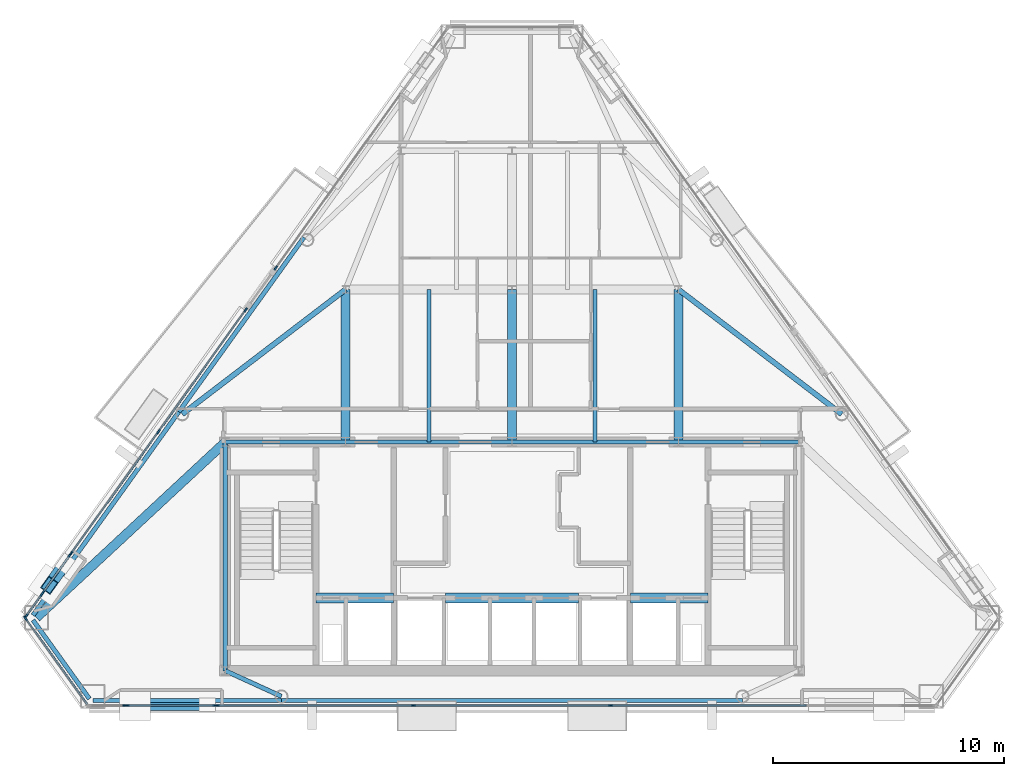
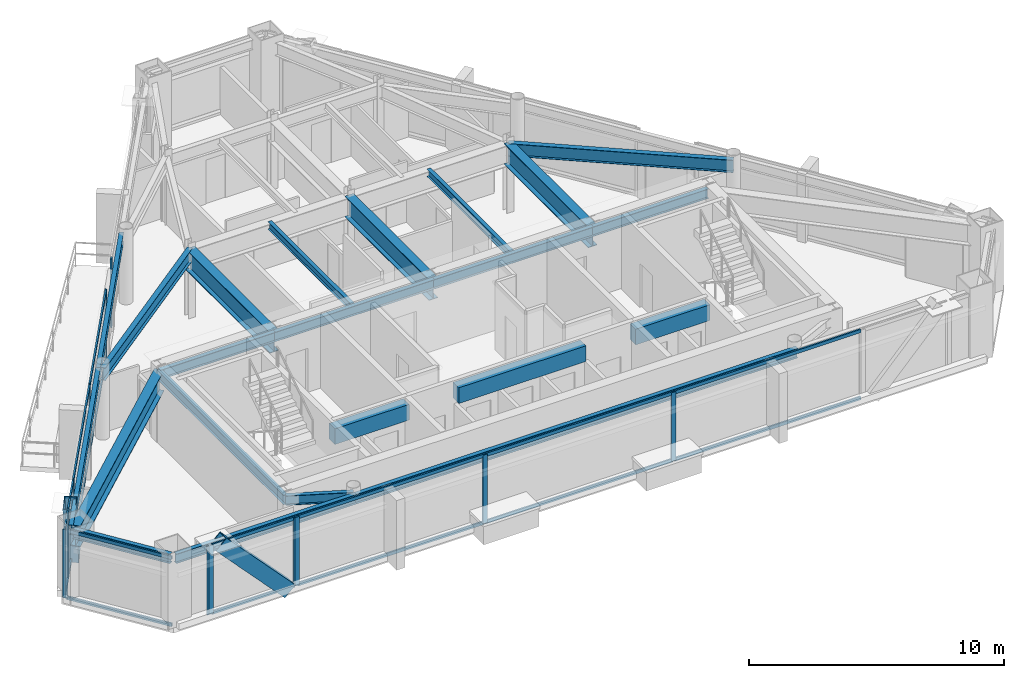
# One storey, part 3 of 11: 35 members, 22 beams, 8 elements without a shape of their own.
"""IFC4 building model written with IfcOpenShell, lengths in metres."""

import ifcopenshell
import ifcopenshell.guid

model = None  # the IFC model being written
_history = None  # IfcOwnerHistory: only IFC2X3 demands one
_inside = {}  # id of a spatial element -> (the spatial element, [elements in it])
_under = {}  # id of a project, library or spatial element -> (it, [spatial elements below it])
_declared = {}  # id of a project -> (the project, [libraries it declares])
_typed = {}  # id of a type object -> (the type object, [elements of that type])
_made_of = {}  # id of a material, layer set ... -> (it, [elements and type objects made of it])


def new_model(schema):
    """Start an empty IFC model of exactly this schema.

    Asked for "IFC4X3", IfcOpenShell would pick the latest addendum, in which some entities
    have other attributes; the version numbers below select the first issue.
    IFC2X3 requires an IfcOwnerHistory on every rooted entity: one is made here for all.
    """
    global model, _history
    if schema == "IFC4X3":
        model = ifcopenshell.file(schema_version=(4, 3, 0, 0))
    else:
        model = ifcopenshell.file(schema=schema)
    _inside.clear()
    _under.clear()
    _declared.clear()
    _typed.clear()
    _made_of.clear()
    _history = None
    if model.schema == "IFC2X3":
        org = make("IfcOrganization", Name="unknown")
        user = make(
            "IfcPersonAndOrganization",
            ThePerson=make("IfcPerson", FamilyName="unknown"),
            TheOrganization=org,
        )
        app = make(
            "IfcApplication",
            ApplicationDeveloper=org,
            Version="unknown",
            ApplicationFullName="unknown",
            ApplicationIdentifier="unknown",
        )
        _history = make(
            "IfcOwnerHistory",
            OwningUser=user,
            OwningApplication=app,
            ChangeAction="ADDED",
            CreationDate=0,
        )
    return model


def make(cls, **values):
    """One entity of the class cls with the attributes given. An attribute that is None is left unset."""
    return model.create_entity(
        cls, **{name: value for name, value in values.items() if value is not None}
    )


def rooted(cls, **values):
    """An entity with a GlobalId (a new one), such as an element, a storey or a relation."""
    return make(cls, GlobalId=ifcopenshell.guid.new(), OwnerHistory=_history, **values)


def si_unit(unit_type, name, prefix=None):
    """IfcSIUnit, for example si_unit("LENGTHUNIT", "METRE", prefix="MILLI")."""
    return make("IfcSIUnit", UnitType=unit_type, Prefix=prefix, Name=name)


def assignment(units):
    """IfcUnitAssignment: the units of a project."""
    return None if units is None else make("IfcUnitAssignment", Units=units)


def point(xyz):
    """IfcCartesianPoint."""
    return None if xyz is None else make("IfcCartesianPoint", Coordinates=xyz)


def direction(xyz):
    """IfcDirection."""
    return None if xyz is None else make("IfcDirection", DirectionRatios=xyz)


def frame(location, z_axis=None, x_axis=None):
    """IfcAxis2Placement3D, a coordinate frame: its origin and axes. An axis left out is left unset."""
    return make(
        "IfcAxis2Placement3D",
        Location=point(location),
        Axis=direction(z_axis),
        RefDirection=direction(x_axis),
    )


def frame_2d(location, x_axis=None):
    """IfcAxis2Placement2D, a coordinate frame in the plane: its origin and x axis."""
    return make(
        "IfcAxis2Placement2D", Location=point(location), RefDirection=direction(x_axis)
    )


def origin():
    """The frame at (0, 0, 0) with its axes left unset."""
    return frame((0.0, 0.0, 0.0))


def origin_2d():
    """The frame at (0, 0) in the plane with its x axis left unset."""
    return frame_2d((0.0, 0.0))


def place(relative_to, where):
    """IfcLocalPlacement: puts the frame where relative to a parent placement (None: the world)."""
    return make(
        "IfcLocalPlacement", PlacementRelTo=relative_to, RelativePlacement=where
    )


def context(
    kind, dimensions, precision=None, world=None, true_north=None, identifier=None
):
    """IfcGeometricRepresentationContext, for example the 3D "Model" context."""
    return make(
        "IfcGeometricRepresentationContext",
        ContextIdentifier=identifier,
        ContextType=kind,
        CoordinateSpaceDimension=dimensions,
        Precision=precision,
        WorldCoordinateSystem=world,
        TrueNorth=true_north,
    )


def subcontext(parent, identifier, kind, view, scale=None):
    """IfcGeometricRepresentationSubContext, for example "Body" below "Model"."""
    return make(
        "IfcGeometricRepresentationSubContext",
        ContextIdentifier=identifier,
        ContextType=kind,
        ParentContext=parent,
        TargetScale=scale,
        TargetView=view,
    )


def project(units=None, contexts=None):
    """IfcProject with its units and contexts."""
    return rooted(
        "IfcProject",
        Name="project",
        RepresentationContexts=contexts,
        UnitsInContext=assignment(units),
    )


def spatial(cls, under=None, at=None, **own):
    """A site, building, storey or space (cls), placed at a placement, below another one or the project."""
    s = rooted(cls, ObjectPlacement=at, **own)
    if under is not None:
        _under.setdefault(under.id(), (under, []))[1].append(s)
    return s


def profile(cls, at=None, kind="AREA", **sizes):
    """A parametric profile (cls). Its sizes go by their IFC names, for example OverallWidth=200.0."""
    return make(cls, ProfileType=kind, Position=at, **sizes)


def rectangle(**sizes):
    """IfcRectangleProfileDef."""
    return profile("IfcRectangleProfileDef", **sizes)


def hollow_rectangle(**sizes):
    """IfcRectangleHollowProfileDef."""
    return profile("IfcRectangleHollowProfileDef", **sizes)


def i_section(**sizes):
    """IfcIShapeProfileDef."""
    return profile("IfcIShapeProfileDef", **sizes)


def extrude(swept, where, along, depth):
    """IfcExtrudedAreaSolid: the profile swept, set in the frame where, extruded along a direction by depth."""
    return make(
        "IfcExtrudedAreaSolid",
        SweptArea=swept,
        Position=where,
        ExtrudedDirection=direction(along),
        Depth=depth,
    )


def shape(context_of_items, identifier, shape_type, items):
    """IfcShapeRepresentation: the items that make up one representation, for example the "Body"."""
    return make(
        "IfcShapeRepresentation",
        ContextOfItems=context_of_items,
        RepresentationIdentifier=identifier,
        RepresentationType=shape_type,
        Items=items,
    )


def material(Name=None, Category=None):
    """IfcMaterial."""
    return make("IfcMaterial", Name=Name, Category=Category)


def layer(
    of_material, thickness, ventilated=None, Name=None, Category=None, Priority=None
):
    """IfcMaterialLayer: one layer of a wall or slab, of a material (None: an air gap)."""
    return make(
        "IfcMaterialLayer",
        Material=of_material,
        LayerThickness=thickness,
        IsVentilated=ventilated,
        Name=Name,
        Category=Category,
        Priority=Priority,
    )


def layer_set(layers, Name=None):
    """IfcMaterialLayerSet."""
    return make("IfcMaterialLayerSet", MaterialLayers=layers, LayerSetName=Name)


def material_profile(
    of_material, cross_section, Name=None, Category=None, Priority=None
):
    """IfcMaterialProfile: a cross section and its material."""
    return make(
        "IfcMaterialProfile",
        Name=Name,
        Material=of_material,
        Profile=cross_section,
        Priority=Priority,
        Category=Category,
    )


def profile_set(profiles, Name=None, composite=None):
    """IfcMaterialProfileSet."""
    return make(
        "IfcMaterialProfileSet",
        Name=Name,
        MaterialProfiles=profiles,
        CompositeProfile=composite,
    )


def made_of(thing, what):
    """Note that an element or type object is made of a material, layer set ...; save() writes the relation."""
    if what is not None:
        _made_of.setdefault(what.id(), (what, []))[1].append(thing)
    return thing


def type_object(cls, material=None, **own):
    """A type object (cls), such as IfcWallType, which elements share."""
    return made_of(rooted(cls, **own), material)


def element(
    cls,
    number,
    at=None,
    inside=None,
    cuts=None,
    type_object=None,
    material=None,
    context=None,
    identifier="Body",
    shape_type=None,
    held_by="IfcProductDefinitionShape",
    body=None,
    shapes=None,
    **own,
):
    """One element of the class cls, such as IfcWall. Its Tag is "e" and its number.

    at: its placement. inside: the storey or other place that contains it. cuts: it is an
    opening in that element (IfcRelVoidsElement). A single representation is given by context,
    identifier, shape_type and body (its items); several are given by shapes. held_by: the class
    of the entity that holds the representations. save() writes the other relations.
    """
    e = rooted(cls, Tag="e%d" % number, ObjectPlacement=at, **own)
    if body is not None:
        shapes = [shape(context, identifier, shape_type, body)]
    if shapes is not None:
        e.Representation = make(held_by, Representations=shapes)
    if inside is not None:
        _inside.setdefault(inside.id(), (inside, []))[1].append(e)
    if cuts is not None:
        rooted(
            "IfcRelVoidsElement", RelatingBuildingElement=cuts, RelatedOpeningElement=e
        )
    if type_object is not None:
        _typed.setdefault(type_object.id(), (type_object, []))[1].append(e)
    return made_of(e, material)


def aggregate(whole, parts):
    """IfcRelAggregates: a whole, such as a stair, and the parts it consists of."""
    return rooted("IfcRelAggregates", RelatingObject=whole, RelatedObjects=parts)


def save(model, path):
    """Write the relations noted so far, then the file.

    IfcRelAggregates (storeys below a building ...), IfcRelContainedInSpatialStructure (elements
    in a storey), IfcRelDefinesByType, IfcRelAssociatesMaterial and IfcRelDeclares: one each for
    every whole, place, type object, material and project.
    """
    for whole, parts in _under.values():
        aggregate(whole, parts)
    for where, things in _inside.values():
        rooted(
            "IfcRelContainedInSpatialStructure",
            RelatedElements=things,
            RelatingStructure=where,
        )
    for kind, things in _typed.values():
        rooted("IfcRelDefinesByType", RelatedObjects=things, RelatingType=kind)
    for what, things in _made_of.values():
        rooted("IfcRelAssociatesMaterial", RelatedObjects=things, RelatingMaterial=what)
    for by, libraries in _declared.values():
        rooted("IfcRelDeclares", RelatingContext=by, RelatedDefinitions=libraries)
    model.write(path)


model = new_model("IFC4")

# Units and contexts
model_context = context("Model", 3, precision=1e-05, world=origin(), true_north=direction((0.0, 1.0)))
body_context = subcontext(model_context, "Body", "Model", "MODEL_VIEW")
ifc_project = project(units=[si_unit("LENGTHUNIT", "METRE"), si_unit("AREAUNIT", "SQUARE_METRE"), si_unit("VOLUMEUNIT", "CUBIC_METRE"), si_unit("PLANEANGLEUNIT", "RADIAN"), si_unit("MASSUNIT", "GRAM", prefix="KILO")], contexts=[model_context])

# Site, building, storey
site_placement = place(None, origin())
site = spatial("IfcSite", under=ifc_project, at=site_placement, CompositionType="ELEMENT")
building_placement = place(site_placement, origin())
building = spatial("IfcBuilding", under=site, at=building_placement, Name="Talgorran Terracotta Tower", CompositionType="ELEMENT")
storey_placement = place(building_placement, frame((0.0, 0.0, 240.60009765625)))
storey = spatial("IfcBuildingStorey", under=building, at=storey_placement, Name="L63", CompositionType="ELEMENT", Elevation=240.60009765625)

# Beams
ifc_material_1 = material(Name="Steel Grade 350 (350L0)", Category="steel")
ifc_material_profile_1 = material_profile(ifc_material_1, i_section(OverallWidth=0.39990234375, OverallDepth=1.0, WebThickness=0.01611328125, FlangeThickness=0.031005859375, at=origin_2d()), Name="1000WB296")
ifc_profile_set_1 = profile_set([ifc_material_profile_1], Name="Steel Grade 350 (350L0)")
beam_type_1 = type_object("IfcBeamType", Name="BM_1000WB296", PredefinedType="BEAM", material=ifc_profile_set_1)
for number, where, z_axis, x_axis, name in (
    (1, (-7.199951171875, -4.199951171875, 2.77978515625), (0.0, 1.0, 0.0), (-1.0, 0.0, 0.0), "L63 Floor Girder G01"),
    (2, (0.0, -4.199951171875, 2.77978515625), (0.0, 1.0, 0.0), (-1.0, 0.0, 0.0), "L63 Floor Girder G02"),
    (3, (7.199951171875, -4.199951171875, 2.77978515625), (0.0, 1.0, 0.0), (-1.0, 0.0, 0.0), "L63 Floor Girder G03"),
):
    element("IfcBeam", number, at=place(storey_placement, frame(where, z_axis=z_axis, x_axis=x_axis)), inside=storey, type_object=beam_type_1, Name=name, PredefinedType="BEAM", context=body_context, shape_type="SweptSolid", body=[
        extrude(i_section(OverallWidth=0.39990234375, OverallDepth=1.0, WebThickness=0.01611328125, FlangeThickness=0.031005859375, at=origin_2d()), origin(), (0.0, 0.0, 1.0), 6.599853515625),
    ])
beam_1_placement = place(storey_placement, frame((-12.39990234375, -4.199951171875, 2.77978515625), z_axis=(-0.732477257619, -0.68079150044, 0.0), x_axis=(0.68079150044, -0.732477257619, 0.0)))
element("IfcBeam", 4, at=beam_1_placement, inside=storey, type_object=beam_type_1, Name="L63 Floor Girder G17", PredefinedType="BEAM", context=body_context, shape_type="SweptSolid", body=[
    extrude(i_section(OverallWidth=0.39990234375, OverallDepth=1.0, WebThickness=0.01611328125, FlangeThickness=0.031005859375, at=origin_2d()), origin(), (0.0, 0.0, 1.0), 11.16650390625),
])
ifc_material_2 = material(Name="Steel S355 (300PLUS)", Category="steel")
ifc_material_profile_2 = material_profile(ifc_material_2, i_section(OverallWidth=0.22802734375, OverallDepth=0.60205078125, WebThickness=0.010498046875, FlangeThickness=0.014892578125, at=origin_2d()), Name="610UB101")
ifc_profile_set_2 = profile_set([ifc_material_profile_2], Name="Steel S355 (300PLUS)")
beam_type_2 = type_object("IfcBeamType", Name="BM_610UB101", PredefinedType="BEAM", material=ifc_profile_set_2)
for number, where, z_axis, x_axis, name in (
    (5, (-7.199951171875, 2.39990234375, 2.97900390625), (-0.794675605049, -0.60703433407, 0.0), (0.60703433407, -0.794675605049, 0.0), "L63 Floor Girder G06"),
    (6, (7.199951171875, 2.39990234375, 2.97900390625), (0.794675605049, -0.60703433407, 0.0), (0.60703433407, 0.794675605049, 0.0), "L63 Floor Girder G07"),
):
    element("IfcBeam", number, at=place(storey_placement, frame(where, z_axis=z_axis, x_axis=x_axis)), inside=storey, type_object=beam_type_2, Name=name, PredefinedType="BEAM", context=body_context, shape_type="SweptSolid", body=[
        extrude(i_section(OverallWidth=0.22802734375, OverallDepth=0.60205078125, WebThickness=0.010498046875, FlangeThickness=0.014892578125, at=origin_2d()), origin(), (0.0, 0.0, 1.0), 8.894287109375),
    ])
ifc_material_3 = material(Name="Concrete C50/60", Category="concrete")
ifc_material_profile_3 = material_profile(ifc_material_3, rectangle(XDim=0.449951171875, YDim=0.75, at=origin_2d()), Name="RCCB450X750")
ifc_profile_set_3 = profile_set([ifc_material_profile_3], Name="Concrete C50/60")
beam_type_3 = type_object("IfcBeamType", Name="BM_CB_450X750", PredefinedType="LINTEL", material=ifc_profile_set_3)
beam_2_placement = place(storey_placement, frame((-8.47998046875, -10.949951171875, 2.90478515625), z_axis=(1.0, 0.0, 0.0), x_axis=(0.0, 1.0, 0.0)))
element("IfcBeam", 7, at=beam_2_placement, inside=storey, type_object=beam_type_3, Name="L63 Core Shear-Wall Coupling Beam CB1", PredefinedType="LINTEL", context=body_context, shape_type="SweptSolid", body=[
    extrude(rectangle(XDim=0.449951171875, YDim=0.75, at=origin_2d()), origin(), (0.0, 0.0, 1.0), 3.35986328125),
])
beam_3_placement = place(storey_placement, frame((-2.8798828125, -10.949951171875, 2.90478515625), z_axis=(1.0, 0.0, 0.0), x_axis=(0.0, 1.0, 0.0)))
element("IfcBeam", 8, at=beam_3_placement, inside=storey, type_object=beam_type_3, Name="L63 Core Shear-Wall Coupling Beam CB2", PredefinedType="LINTEL", context=body_context, shape_type="SweptSolid", body=[
    extrude(rectangle(XDim=0.449951171875, YDim=0.75, at=origin_2d()), origin(), (0.0, 0.0, 1.0), 5.759765625),
])
beam_4_placement = place(storey_placement, frame((5.1201171875, -10.949951171875, 2.90478515625), z_axis=(1.0, 0.0, 0.0), x_axis=(0.0, 1.0, 0.0)))
element("IfcBeam", 9, at=beam_4_placement, inside=storey, type_object=beam_type_3, Name="L63 Core Shear-Wall Coupling Beam CB3", PredefinedType="LINTEL", context=body_context, shape_type="SweptSolid", body=[
    extrude(rectangle(XDim=0.449951171875, YDim=0.75, at=origin_2d()), origin(), (0.0, 0.0, 1.0), 3.35986328125),
])
ifc_material_profile_4 = material_profile(ifc_material_2, i_section(OverallWidth=0.17138671875, OverallDepth=0.355712890625, WebThickness=0.00732421875, FlangeThickness=0.011474609375, at=origin_2d()), Name="360UB50.7")
ifc_profile_set_4 = profile_set([ifc_material_profile_4], Name="Steel S355 (300PLUS)")
beam_type_4 = type_object("IfcBeamType", Name="BM_JS_360UB51", PredefinedType="JOIST", material=ifc_profile_set_4)
for number, where, z_axis, x_axis, name in (
    (10, (-3.60009765625, -4.199951171875, 3.10205078125), (0.0, 1.0, 0.0), (-1.0, 0.0, 0.0), "L63 Secondary Joist J01"),
    (11, (3.60009765625, -4.199951171875, 3.10205078125), (0.0, 1.0, 0.0), (-1.0, 0.0, 0.0), "L63 Secondary Joist J02"),
):
    element("IfcBeam", number, at=place(storey_placement, frame(where, z_axis=z_axis, x_axis=x_axis)), inside=storey, type_object=beam_type_4, Name=name, PredefinedType="JOIST", context=body_context, shape_type="SweptSolid", body=[
        extrude(i_section(OverallWidth=0.17138671875, OverallDepth=0.355712890625, WebThickness=0.00732421875, FlangeThickness=0.011474609375, at=origin_2d()), origin(), (0.0, 0.0, 1.0), 6.599853515625),
    ])
ifc_material_profile_5 = material_profile(ifc_material_2, i_section(OverallWidth=0.18994140625, OverallDepth=0.45703125, WebThickness=0.009033203125, FlangeThickness=0.014404296875, at=origin_2d()), Name="460UB74.6")
ifc_profile_set_5 = profile_set([ifc_material_profile_5], Name="Steel S355 (300PLUS)")
beam_type_5 = type_object("IfcBeamType", Name="BM_SP_460UB74", PredefinedType="SPANDREL", material=ifc_profile_set_5)
beam_5_placement = place(storey_placement, frame((-20.725341796875, -11.906982421875, 3.051513671875), z_axis=(0.582692129248, -0.812692981705, 0.0), x_axis=(0.812692981705, 0.582692129248, 0.0)))
element("IfcBeam", 12, at=beam_5_placement, inside=storey, type_object=beam_type_5, Name="L63 Perimeter Spandrel Beam MC1-MC2", PredefinedType="SPANDREL", context=body_context, shape_type="SweptSolid", body=[
    extrude(i_section(OverallWidth=0.18994140625, OverallDepth=0.45703125, WebThickness=0.009033203125, FlangeThickness=0.014404296875, at=origin_2d()), origin(), (0.0, 0.0, 1.0), 4.190673828125),
])
beam_6_placement = place(storey_placement, frame((-18.13720703125, -15.3876953125, 3.051513671875), z_axis=(1.0, 0.0, 0.0), x_axis=(0.0, 1.0, 0.0)))
element("IfcBeam", 13, at=beam_6_placement, inside=storey, type_object=beam_type_5, Name="L63 Perimeter Spandrel Beam MC2-FC1", PredefinedType="SPANDREL", context=body_context, shape_type="SweptSolid", body=[
    extrude(i_section(OverallWidth=0.18994140625, OverallDepth=0.45703125, WebThickness=0.009033203125, FlangeThickness=0.014404296875, at=origin_2d()), origin(), (0.0, 0.0, 1.0), 8.16162109375),
])
beam_7_placement = place(storey_placement, frame((-9.9755859375, -15.3876953125, 3.051513671875), z_axis=(1.0, 0.0, 0.0), x_axis=(0.0, 1.0, 0.0)))
element("IfcBeam", 14, at=beam_7_placement, inside=storey, type_object=beam_type_5, Name="L63 Perimeter Spandrel Beam FC1-FC2", PredefinedType="SPANDREL", context=body_context, shape_type="SweptSolid", body=[
    extrude(i_section(OverallWidth=0.18994140625, OverallDepth=0.45703125, WebThickness=0.009033203125, FlangeThickness=0.014404296875, at=origin_2d()), origin(), (0.0, 0.0, 1.0), 19.951171875),
])
beam_8_placement = place(storey_placement, frame((-9.0048828125, 4.65087890625, 3.051513671875), z_axis=(-0.582665161137, -0.812712316873, 0.0), x_axis=(0.812712316873, -0.582665161137, 0.0)))
element("IfcBeam", 15, at=beam_8_placement, inside=storey, type_object=beam_type_5, Name="L63 Perimeter Spandrel Beam FC5-FC6", PredefinedType="SPANDREL", context=body_context, shape_type="SweptSolid", body=[
    extrude(i_section(OverallWidth=0.18994140625, OverallDepth=0.45703125, WebThickness=0.009033203125, FlangeThickness=0.014404296875, at=origin_2d()), origin(), (0.0, 0.0, 1.0), 9.283935546875),
])
beam_9_placement = place(storey_placement, frame((-14.414306640625, -2.894287109375, 3.051513671875), z_axis=(-0.5826658635, -0.812711813321, 0.0), x_axis=(0.812711813321, -0.5826658635, 0.0)))
element("IfcBeam", 16, at=beam_9_placement, inside=storey, type_object=beam_type_5, Name="L63 Perimeter Spandrel Beam FC6-MC1", PredefinedType="SPANDREL", context=body_context, shape_type="SweptSolid", body=[
    extrude(i_section(OverallWidth=0.18994140625, OverallDepth=0.45703125, WebThickness=0.009033203125, FlangeThickness=0.014404296875, at=origin_2d()), origin(), (0.0, 0.0, 1.0), 10.831298828125),
])
beam_10_placement = place(storey_placement, frame((-9.9755859375, -15.207763671875, 3.051513671875), z_axis=(-0.909558570389, 0.415575753661, 0.0), x_axis=(-0.415575753661, -0.909558570389, 0.0)))
element("IfcBeam", 17, at=beam_10_placement, inside=storey, type_object=beam_type_5, Name="L63 South-West Core Tie Beam", PredefinedType="SPANDREL", context=body_context, shape_type="SweptSolid", body=[
    extrude(i_section(OverallWidth=0.18994140625, OverallDepth=0.45703125, WebThickness=0.009033203125, FlangeThickness=0.014404296875, at=origin_2d()), origin(), (0.0, 0.0, 1.0), 2.665283203125),
])
beam_11_placement = place(storey_placement, frame((-12.39990234375, -14.10009765625, 3.051513671875), z_axis=(0.0, 1.0, 0.0), x_axis=(-1.0, 0.0, 0.0)))
element("IfcBeam", 18, at=beam_11_placement, inside=storey, type_object=beam_type_5, Name="L63 Core Frame Beam CFW", PredefinedType="SPANDREL", context=body_context, shape_type="SweptSolid", body=[
    extrude(i_section(OverallWidth=0.18994140625, OverallDepth=0.45703125, WebThickness=0.009033203125, FlangeThickness=0.014404296875, at=origin_2d()), origin(), (0.0, 0.0, 1.0), 9.900146484375),
])
beam_12_placement = place(storey_placement, frame((-12.39990234375, -4.199951171875, 3.051513671875), z_axis=(1.0, 0.0, 0.0), x_axis=(0.0, 1.0, 0.0)))
element("IfcBeam", 19, at=beam_12_placement, inside=storey, type_object=beam_type_5, Name="L63 Core Frame Beam CFN1", PredefinedType="SPANDREL", context=body_context, shape_type="SweptSolid", body=[
    extrude(i_section(OverallWidth=0.18994140625, OverallDepth=0.45703125, WebThickness=0.009033203125, FlangeThickness=0.014404296875, at=origin_2d()), origin(), (0.0, 0.0, 1.0), 5.199951171875),
])
for number, where, z_axis, x_axis, name in (
    (20, (-7.199951171875, -4.199951171875, 3.051513671875), (1.0, 0.0, 0.0), (0.0, 1.0, 0.0), "L63 Core Frame Beam CFN2"),
    (21, (0.0, -4.199951171875, 3.051513671875), (1.0, 0.0, 0.0), (0.0, 1.0, 0.0), "L63 Core Frame Beam CFN3"),
):
    element("IfcBeam", number, at=place(storey_placement, frame(where, z_axis=z_axis, x_axis=x_axis)), inside=storey, type_object=beam_type_5, Name=name, PredefinedType="SPANDREL", context=body_context, shape_type="SweptSolid", body=[
        extrude(i_section(OverallWidth=0.18994140625, OverallDepth=0.45703125, WebThickness=0.009033203125, FlangeThickness=0.014404296875, at=origin_2d()), origin(), (0.0, 0.0, 1.0), 7.199951171875),
    ])
beam_13_placement = place(storey_placement, frame((7.199951171875, -4.199951171875, 3.051513671875), z_axis=(1.0, 0.0, 0.0), x_axis=(0.0, 1.0, 0.0)))
element("IfcBeam", 22, at=beam_13_placement, inside=storey, type_object=beam_type_5, Name="L63 Core Frame Beam CFN4", PredefinedType="SPANDREL", context=body_context, shape_type="SweptSolid", body=[
    extrude(i_section(OverallWidth=0.18994140625, OverallDepth=0.45703125, WebThickness=0.009033203125, FlangeThickness=0.014404296875, at=origin_2d()), origin(), (0.0, 0.0, 1.0), 5.199951171875),
])

# Members
ifc_material_profile_6 = material_profile(ifc_material_1, hollow_rectangle(XDim=0.52001953125, YDim=0.659912109375, WallThickness=0.034912109375, at=origin_2d()), Name="WBOX660X520X35")
ifc_profile_set_6 = profile_set([ifc_material_profile_6], Name="Steel Grade 350 (350L0)")
member_type_1 = type_object("IfcMemberType", Name="MB_MEGA_660", PredefinedType="BRACE", material=ifc_profile_set_6)
member_1_placement = place(storey_placement, frame((-13.19189453125, -15.56787109375, -0.025146484375), z_axis=(-0.683100018247, 0.0, 0.73032483531), x_axis=(0.0, -1.0, 0.0)))
element("IfcMember", 23, at=member_1_placement, inside=storey, type_object=member_type_1, Name="L63 Exterior Face Mega-Brace MB-3 (SWF)", PredefinedType="BRACE", context=body_context, shape_type="SweptSolid", body=[
    extrude(hollow_rectangle(XDim=0.52001953125, YDim=0.659912109375, WallThickness=0.034912109375, at=origin_2d()), origin(), (0.0, 0.0, 1.0), 4.559814453125),
])
member_2_placement = place(storey_placement, frame((-19.33935546875, -9.455078125, -0.025146484375), z_axis=(-0.191890418746, -0.267622063086, 0.944222695418), x_axis=(0.812681078827, -0.582708730085, 0.0)))
element("IfcMember", 24, at=member_2_placement, inside=storey, type_object=member_type_1, Name="L63 Exterior Face Mega-Brace MB-3 (NWL)", PredefinedType="BRACE", context=body_context, shape_type="SweptSolid", body=[
    extrude(hollow_rectangle(XDim=0.52001953125, YDim=0.659912109375, WallThickness=0.034912109375, at=origin_2d()), origin(), (0.0, 0.0, 1.0), 3.52685546875),
])

# Curtain wall, member
ifc_material_4 = material(Name="High-Wind Unitised Glazing", Category="glass")
ifc_layer = layer(ifc_material_4, 0.2099609375, Name="CW_SYS3_RES_HIGH")
ifc_layer_set = layer_set([ifc_layer], Name="High-Wind Unitised Glazing")
curtain_wall_type = type_object("IfcCurtainWallType", Name="CW_SYS3_RES_HIGH", PredefinedType="NOTDEFINED", material=ifc_layer_set)
curtain_wall_1_placement = place(storey_placement, origin())
curtain_wall_1 = element("IfcCurtainWall", 25, at=curtain_wall_1_placement, inside=storey, type_object=curtain_wall_type, Name="CW-L63-F0", PredefinedType="NOTDEFINED")
ifc_material_5 = material(Name="Architectural Aluminium 6063-T6", Category="aluminium")
ifc_material_profile_7 = material_profile(ifc_material_5, rectangle(XDim=0.070068359375, YDim=0.199951171875, at=origin_2d()), Name="CWM70X200")
ifc_profile_set_7 = profile_set([ifc_material_profile_7], Name="Architectural Aluminium 6063-T6")
member_type_2 = type_object("IfcMemberType", Name="MUL_70X200", PredefinedType="MULLION", material=ifc_profile_set_7)
member_3_placement = place(storey_placement, frame((-21.05078125, -11.83056640625, 0.0), z_axis=(0.0, 0.0, 1.0), x_axis=(0.812714993724, 0.582661427396, 0.0)))
member_3 = element("IfcMember", 26, at=member_3_placement, type_object=member_type_2, Name="CW-L63-0 mullion 1", PredefinedType="MULLION", context=body_context, shape_type="SweptSolid", body=[
    extrude(rectangle(XDim=0.070068359375, YDim=0.199951171875, at=origin_2d()), origin(), (0.0, 0.0, 1.0), 3.27978515625),
])

curtain_wall_2_placement = place(storey_placement, origin())
curtain_wall_2 = element("IfcCurtainWall", 27, at=curtain_wall_2_placement, inside=storey, type_object=curtain_wall_type, Name="CW-L63-F1", PredefinedType="NOTDEFINED")
member_4_placement = place(storey_placement, frame((-16.737548828125, -15.60791015625, 0.0), z_axis=(0.0, 0.0, 1.0), x_axis=(0.0, 1.0, 0.0)))
member_4 = element("IfcMember", 28, at=member_4_placement, type_object=member_type_2, Name="CW-L63-1 mullion 2", PredefinedType="MULLION", context=body_context, shape_type="SweptSolid", body=[
    extrude(rectangle(XDim=0.070068359375, YDim=0.199951171875, at=origin_2d()), origin(), (0.0, 0.0, 1.0), 3.27978515625),
])
aggregate(curtain_wall_2, [member_4])

# Curtain wall, members
curtain_wall_3_placement = place(storey_placement, origin())
curtain_wall_3 = element("IfcCurtainWall", 29, at=curtain_wall_3_placement, inside=storey, type_object=curtain_wall_type, Name="CW-L63-F1B", PredefinedType="NOTDEFINED")
member_5_placement = place(storey_placement, frame((-16.65771484375, -15.60791015625, 0.0), z_axis=(0.0, 0.0, 1.0), x_axis=(0.0, 1.0, 0.0)))
member_5 = element("IfcMember", 30, at=member_5_placement, type_object=member_type_2, Name="CW-L63-1B mullion 1", PredefinedType="MULLION", context=body_context, shape_type="SweptSolid", body=[
    extrude(rectangle(XDim=0.070068359375, YDim=0.199951171875, at=origin_2d()), origin(), (0.0, 0.0, 1.0), 3.27978515625),
])
member_6_placement = place(storey_placement, frame((-12.8408203125, -15.60791015625, 0.0), z_axis=(0.0, 0.0, 1.0), x_axis=(0.0, 1.0, 0.0)))
member_6 = element("IfcMember", 31, at=member_6_placement, type_object=member_type_2, Name="CW-L63-1B mullion 2", PredefinedType="MULLION", context=body_context, shape_type="SweptSolid", body=[
    extrude(rectangle(XDim=0.070068359375, YDim=0.199951171875, at=origin_2d()), origin(), (0.0, 0.0, 1.0), 3.27978515625),
])

curtain_wall_4_placement = place(storey_placement, origin())
curtain_wall_4 = element("IfcCurtainWall", 32, at=curtain_wall_4_placement, inside=storey, type_object=curtain_wall_type, Name="CW-L63-F1C", PredefinedType="NOTDEFINED")
member_7_placement = place(storey_placement, frame((-12.7607421875, -15.60791015625, 0.0), z_axis=(0.0, 0.0, 1.0), x_axis=(0.0, 1.0, 0.0)))
member_7 = element("IfcMember", 33, at=member_7_placement, type_object=member_type_2, Name="CW-L63-1C mullion 1", PredefinedType="MULLION", context=body_context, shape_type="SweptSolid", body=[
    extrude(rectangle(XDim=0.070068359375, YDim=0.199951171875, at=origin_2d()), origin(), (0.0, 0.0, 1.0), 3.27978515625),
])
member_8_placement = place(storey_placement, frame((-4.265380859375, -15.60791015625, 0.0), z_axis=(0.0, 0.0, 1.0), x_axis=(0.0, 1.0, 0.0)))
member_8 = element("IfcMember", 34, at=member_8_placement, type_object=member_type_2, Name="CW-L63-1C mullion 2", PredefinedType="MULLION", context=body_context, shape_type="SweptSolid", body=[
    extrude(rectangle(XDim=0.070068359375, YDim=0.199951171875, at=origin_2d()), origin(), (0.0, 0.0, 1.0), 3.27978515625),
])
member_9_placement = place(storey_placement, frame((4.265380859375, -15.60791015625, 0.0), z_axis=(0.0, 0.0, 1.0), x_axis=(0.0, 1.0, 0.0)))
member_9 = element("IfcMember", 35, at=member_9_placement, type_object=member_type_2, Name="CW-L63-1C mullion 3", PredefinedType="MULLION", context=body_context, shape_type="SweptSolid", body=[
    extrude(rectangle(XDim=0.070068359375, YDim=0.199951171875, at=origin_2d()), origin(), (0.0, 0.0, 1.0), 3.27978515625),
])

# Curtain wall, member
curtain_wall_5_placement = place(storey_placement, origin())
curtain_wall_5 = element("IfcCurtainWall", 36, at=curtain_wall_5_placement, inside=storey, type_object=curtain_wall_type, Name="CW-L63-F60C", PredefinedType="NOTDEFINED")
member_10_placement = place(storey_placement, frame((-10.22265625, 3.32958984375, 0.0), z_axis=(0.0, 0.0, 1.0), x_axis=(0.81271372901, -0.582663191457, 0.0)))
member_10 = element("IfcMember", 37, at=member_10_placement, type_object=member_type_2, Name="CW-L63-60C mullion 2", PredefinedType="MULLION", context=body_context, shape_type="SweptSolid", body=[
    extrude(rectangle(XDim=0.070068359375, YDim=0.199951171875, at=origin_2d()), origin(), (0.0, 0.0, 1.0), 3.27978515625),
])
aggregate(curtain_wall_5, [member_10])

# Curtain wall, members
curtain_wall_6_placement = place(storey_placement, origin())
curtain_wall_6 = element("IfcCurtainWall", 38, at=curtain_wall_6_placement, inside=storey, type_object=curtain_wall_type, Name="CW-L63-F61", PredefinedType="NOTDEFINED")
member_11_placement = place(storey_placement, frame((-11.52197265625, 1.517333984375, 0.0), z_axis=(0.0, 0.0, 1.0), x_axis=(0.812710972577, -0.582667036182, 0.0)))
member_11 = element("IfcMember", 39, at=member_11_placement, type_object=member_type_2, Name="CW-L63-61 mullion 1", PredefinedType="MULLION", context=body_context, shape_type="SweptSolid", body=[
    extrude(rectangle(XDim=0.070068359375, YDim=0.199951171875, at=origin_2d()), origin(), (0.0, 0.0, 1.0), 3.27978515625),
])
member_12_placement = place(storey_placement, frame((-15.30078125, -3.75341796875, 0.0), z_axis=(0.0, 0.0, 1.0), x_axis=(0.812710972577, -0.582667036182, 0.0)))
member_12 = element("IfcMember", 40, at=member_12_placement, type_object=member_type_2, Name="CW-L63-61 mullion 2", PredefinedType="MULLION", context=body_context, shape_type="SweptSolid", body=[
    extrude(rectangle(XDim=0.070068359375, YDim=0.199951171875, at=origin_2d()), origin(), (0.0, 0.0, 1.0), 3.27978515625),
])
member_13_placement = place(storey_placement, frame((-19.07958984375, -9.024169921875, 0.0), z_axis=(0.0, 0.0, 1.0), x_axis=(0.812710972577, -0.582667036182, 0.0)))
member_13 = element("IfcMember", 41, at=member_13_placement, type_object=member_type_2, Name="CW-L63-61 mullion 3", PredefinedType="MULLION", context=body_context, shape_type="SweptSolid", body=[
    extrude(rectangle(XDim=0.070068359375, YDim=0.199951171875, at=origin_2d()), origin(), (0.0, 0.0, 1.0), 3.27978515625),
])

curtain_wall_7_placement = place(storey_placement, origin())
curtain_wall_7 = element("IfcCurtainWall", 42, at=curtain_wall_7_placement, inside=storey, type_object=curtain_wall_type, Name="CW-L63-F61B", PredefinedType="NOTDEFINED")
member_14_placement = place(storey_placement, frame((-19.1259765625, -9.089111328125, 0.0), z_axis=(0.0, 0.0, 1.0), x_axis=(0.812719360435, -0.582655336519, 0.0)))
member_14 = element("IfcMember", 43, at=member_14_placement, type_object=member_type_2, Name="CW-L63-61B mullion 1", PredefinedType="MULLION", context=body_context, shape_type="SweptSolid", body=[
    extrude(rectangle(XDim=0.070068359375, YDim=0.199951171875, at=origin_2d()), origin(), (0.0, 0.0, 1.0), 3.27978515625),
])
member_15_placement = place(storey_placement, frame((-20.294189453125, -10.71826171875, 0.0), z_axis=(0.0, 0.0, 1.0), x_axis=(0.812719360435, -0.582655336519, 0.0)))
member_15 = element("IfcMember", 44, at=member_15_placement, type_object=member_type_2, Name="CW-L63-61B mullion 2", PredefinedType="MULLION", context=body_context, shape_type="SweptSolid", body=[
    extrude(rectangle(XDim=0.070068359375, YDim=0.199951171875, at=origin_2d()), origin(), (0.0, 0.0, 1.0), 3.27978515625),
])

curtain_wall_8_placement = place(storey_placement, origin())
curtain_wall_8 = element("IfcCurtainWall", 45, at=curtain_wall_8_placement, inside=storey, type_object=curtain_wall_type, Name="CW-L63-F61C", PredefinedType="NOTDEFINED")
member_16_placement = place(storey_placement, frame((-20.340576171875, -10.783203125, 0.0), z_axis=(0.0, 0.0, 1.0), x_axis=(0.812703976613, -0.582676794113, 0.0)))
member_16 = element("IfcMember", 46, at=member_16_placement, type_object=member_type_2, Name="CW-L63-61C mullion 1", PredefinedType="MULLION", context=body_context, shape_type="SweptSolid", body=[
    extrude(rectangle(XDim=0.070068359375, YDim=0.199951171875, at=origin_2d()), origin(), (0.0, 0.0, 1.0), 3.27978515625),
])
member_17_placement = place(storey_placement, frame((-21.02734375, -11.740966796875, 0.0), z_axis=(0.0, 0.0, 1.0), x_axis=(0.812703976613, -0.582676794113, 0.0)))
member_17 = element("IfcMember", 47, at=member_17_placement, type_object=member_type_2, Name="CW-L63-61C mullion 2", PredefinedType="MULLION", context=body_context, shape_type="SweptSolid", body=[
    extrude(rectangle(XDim=0.070068359375, YDim=0.199951171875, at=origin_2d()), origin(), (0.0, 0.0, 1.0), 3.27978515625),
])

# Member
ifc_material_profile_8 = material_profile(ifc_material_5, rectangle(XDim=0.070068359375, YDim=0.159912109375, at=origin_2d()), Name="CWT70X160")
ifc_profile_set_8 = profile_set([ifc_material_profile_8], Name="Architectural Aluminium 6063-T6")
member_type_3 = type_object("IfcMemberType", Name="TRN_70X160", PredefinedType="USERDEFINED", material=ifc_profile_set_8)
member_18_placement = place(storey_placement, frame((-21.0302734375, -11.85888671875, 0.034912109375), z_axis=(0.582655627037, -0.812719152157, 0.0), x_axis=(0.812719152157, 0.582655627037, 0.0)))
member_18 = element("IfcMember", 48, at=member_18_placement, type_object=member_type_3, Name="CW-L63-0 transom 1.1", ObjectType="TRANSOM", PredefinedType="USERDEFINED", context=body_context, shape_type="SweptSolid", body=[
    extrude(rectangle(XDim=0.070068359375, YDim=0.159912109375, at=origin_2d()), origin(), (0.0, 0.0, 1.0), 4.54296875),
])

member_19_placement = place(storey_placement, frame((-21.0302734375, -11.85888671875, 3.244873046875), z_axis=(0.582655627037, -0.812719152157, 0.0), x_axis=(0.812719152157, 0.582655627037, 0.0)))
member_19 = element("IfcMember", 49, at=member_19_placement, type_object=member_type_3, Name="CW-L63-0 transom 1.2", ObjectType="TRANSOM", PredefinedType="USERDEFINED", context=body_context, shape_type="SweptSolid", body=[
    extrude(rectangle(XDim=0.070068359375, YDim=0.159912109375, at=origin_2d()), origin(), (0.0, 0.0, 1.0), 4.54296875),
])

aggregate(curtain_wall_1, [member_3, member_18, member_19])

member_20_placement = place(storey_placement, frame((-16.62255859375, -15.60791015625, 0.034912109375), z_axis=(1.0, 0.0, 0.0), x_axis=(0.0, 1.0, 0.0)))
member_20 = element("IfcMember", 50, at=member_20_placement, type_object=member_type_3, Name="CW-L63-1B transom 1.1", ObjectType="TRANSOM", PredefinedType="USERDEFINED", context=body_context, shape_type="SweptSolid", body=[
    extrude(rectangle(XDim=0.070068359375, YDim=0.159912109375, at=origin_2d()), origin(), (0.0, 0.0, 1.0), 3.746826171875),
])

member_21_placement = place(storey_placement, frame((-16.62255859375, -15.60791015625, 3.244873046875), z_axis=(1.0, 0.0, 0.0), x_axis=(0.0, 1.0, 0.0)))
member_21 = element("IfcMember", 51, at=member_21_placement, type_object=member_type_3, Name="CW-L63-1B transom 1.2", ObjectType="TRANSOM", PredefinedType="USERDEFINED", context=body_context, shape_type="SweptSolid", body=[
    extrude(rectangle(XDim=0.070068359375, YDim=0.159912109375, at=origin_2d()), origin(), (0.0, 0.0, 1.0), 3.746826171875),
])

aggregate(curtain_wall_3, [member_5, member_6, member_20, member_21])

member_22_placement = place(storey_placement, frame((-12.725830078125, -15.60791015625, 0.034912109375), z_axis=(1.0, 0.0, 0.0), x_axis=(0.0, 1.0, 0.0)))
member_22 = element("IfcMember", 52, at=member_22_placement, type_object=member_type_3, Name="CW-L63-1C transom 1.1", ObjectType="TRANSOM", PredefinedType="USERDEFINED", context=body_context, shape_type="SweptSolid", body=[
    extrude(rectangle(XDim=0.070068359375, YDim=0.159912109375, at=origin_2d()), origin(), (0.0, 0.0, 1.0), 8.425537109375),
])

member_23_placement = place(storey_placement, frame((-12.725830078125, -15.60791015625, 3.244873046875), z_axis=(1.0, 0.0, 0.0), x_axis=(0.0, 1.0, 0.0)))
member_23 = element("IfcMember", 53, at=member_23_placement, type_object=member_type_3, Name="CW-L63-1C transom 1.2", ObjectType="TRANSOM", PredefinedType="USERDEFINED", context=body_context, shape_type="SweptSolid", body=[
    extrude(rectangle(XDim=0.070068359375, YDim=0.159912109375, at=origin_2d()), origin(), (0.0, 0.0, 1.0), 8.425537109375),
])

member_24_placement = place(storey_placement, frame((-4.230224609375, -15.60791015625, 0.034912109375), z_axis=(1.0, 0.0, 0.0), x_axis=(0.0, 1.0, 0.0)))
member_24 = element("IfcMember", 54, at=member_24_placement, type_object=member_type_3, Name="CW-L63-1C transom 2.1", ObjectType="TRANSOM", PredefinedType="USERDEFINED", context=body_context, shape_type="SweptSolid", body=[
    extrude(rectangle(XDim=0.070068359375, YDim=0.159912109375, at=origin_2d()), origin(), (0.0, 0.0, 1.0), 8.46044921875),
])

member_25_placement = place(storey_placement, frame((-4.230224609375, -15.60791015625, 3.244873046875), z_axis=(1.0, 0.0, 0.0), x_axis=(0.0, 1.0, 0.0)))
member_25 = element("IfcMember", 55, at=member_25_placement, type_object=member_type_3, Name="CW-L63-1C transom 2.2", ObjectType="TRANSOM", PredefinedType="USERDEFINED", context=body_context, shape_type="SweptSolid", body=[
    extrude(rectangle(XDim=0.070068359375, YDim=0.159912109375, at=origin_2d()), origin(), (0.0, 0.0, 1.0), 8.46044921875),
])

member_26_placement = place(storey_placement, frame((4.30029296875, -15.60791015625, 0.034912109375), z_axis=(1.0, 0.0, 0.0), x_axis=(0.0, 1.0, 0.0)))
member_26 = element("IfcMember", 56, at=member_26_placement, type_object=member_type_3, Name="CW-L63-1C transom 3.1", ObjectType="TRANSOM", PredefinedType="USERDEFINED", context=body_context, shape_type="SweptSolid", body=[
    extrude(rectangle(XDim=0.070068359375, YDim=0.159912109375, at=origin_2d()), origin(), (0.0, 0.0, 1.0), 8.425537109375),
])

member_27_placement = place(storey_placement, frame((4.30029296875, -15.60791015625, 3.244873046875), z_axis=(1.0, 0.0, 0.0), x_axis=(0.0, 1.0, 0.0)))
member_27 = element("IfcMember", 57, at=member_27_placement, type_object=member_type_3, Name="CW-L63-1C transom 3.2", ObjectType="TRANSOM", PredefinedType="USERDEFINED", context=body_context, shape_type="SweptSolid", body=[
    extrude(rectangle(XDim=0.070068359375, YDim=0.159912109375, at=origin_2d()), origin(), (0.0, 0.0, 1.0), 8.425537109375),
])

aggregate(curtain_wall_4, [member_7, member_8, member_9, member_22, member_23, member_24, member_25, member_26, member_27])

member_28_placement = place(storey_placement, frame((-11.54248046875, 1.48876953125, 0.034912109375), z_axis=(-0.582659317109, -0.812716506653, 0.0), x_axis=(0.812716506653, -0.582659317109, 0.0)))
member_28 = element("IfcMember", 58, at=member_28_placement, type_object=member_type_3, Name="CW-L63-61 transom 1.1", ObjectType="TRANSOM", PredefinedType="USERDEFINED", context=body_context, shape_type="SweptSolid", body=[
    extrude(rectangle(XDim=0.070068359375, YDim=0.159912109375, at=origin_2d()), origin(), (0.0, 0.0, 1.0), 6.4150390625),
])

member_29_placement = place(storey_placement, frame((-11.54248046875, 1.48876953125, 3.244873046875), z_axis=(-0.582659317109, -0.812716506653, 0.0), x_axis=(0.812716506653, -0.582659317109, 0.0)))
member_29 = element("IfcMember", 59, at=member_29_placement, type_object=member_type_3, Name="CW-L63-61 transom 1.2", ObjectType="TRANSOM", PredefinedType="USERDEFINED", context=body_context, shape_type="SweptSolid", body=[
    extrude(rectangle(XDim=0.070068359375, YDim=0.159912109375, at=origin_2d()), origin(), (0.0, 0.0, 1.0), 6.4150390625),
])

member_30_placement = place(storey_placement, frame((-15.321044921875, -3.78173828125, 0.034912109375), z_axis=(-0.582666432356, -0.812711405485, 0.0), x_axis=(0.812711405485, -0.582666432356, 0.0)))
member_30 = element("IfcMember", 60, at=member_30_placement, type_object=member_type_3, Name="CW-L63-61 transom 2.1", ObjectType="TRANSOM", PredefinedType="USERDEFINED", context=body_context, shape_type="SweptSolid", body=[
    extrude(rectangle(XDim=0.070068359375, YDim=0.159912109375, at=origin_2d()), origin(), (0.0, 0.0, 1.0), 6.415283203125),
])

member_31_placement = place(storey_placement, frame((-15.321044921875, -3.78173828125, 3.244873046875), z_axis=(-0.582666432356, -0.812711405485, 0.0), x_axis=(0.812711405485, -0.582666432356, 0.0)))
member_31 = element("IfcMember", 61, at=member_31_placement, type_object=member_type_3, Name="CW-L63-61 transom 2.2", ObjectType="TRANSOM", PredefinedType="USERDEFINED", context=body_context, shape_type="SweptSolid", body=[
    extrude(rectangle(XDim=0.070068359375, YDim=0.159912109375, at=origin_2d()), origin(), (0.0, 0.0, 1.0), 6.415283203125),
])

aggregate(curtain_wall_6, [member_11, member_12, member_13, member_28, member_29, member_30, member_31])

member_32_placement = place(storey_placement, frame((-19.146484375, -9.117431640625, 0.034912109375), z_axis=(-0.582657892402, -0.812717528063, 0.0), x_axis=(0.812717528063, -0.582657892402, 0.0)))
member_32 = element("IfcMember", 62, at=member_32_placement, type_object=member_type_3, Name="CW-L63-61B transom 1.1", ObjectType="TRANSOM", PredefinedType="USERDEFINED", context=body_context, shape_type="SweptSolid", body=[
    extrude(rectangle(XDim=0.070068359375, YDim=0.159912109375, at=origin_2d()), origin(), (0.0, 0.0, 1.0), 1.9345703125),
])

member_33_placement = place(storey_placement, frame((-19.146484375, -9.117431640625, 3.244873046875), z_axis=(-0.582657892402, -0.812717528063, 0.0), x_axis=(0.812717528063, -0.582657892402, 0.0)))
member_33 = element("IfcMember", 63, at=member_33_placement, type_object=member_type_3, Name="CW-L63-61B transom 1.2", ObjectType="TRANSOM", PredefinedType="USERDEFINED", context=body_context, shape_type="SweptSolid", body=[
    extrude(rectangle(XDim=0.070068359375, YDim=0.159912109375, at=origin_2d()), origin(), (0.0, 0.0, 1.0), 1.9345703125),
])

aggregate(curtain_wall_7, [member_14, member_15, member_32, member_33])

member_34_placement = place(storey_placement, frame((-20.361083984375, -10.811767578125, 0.034912109375), z_axis=(-0.582737173234, -0.812660683761, 0.0), x_axis=(0.812660683761, -0.582737173234, 0.0)))
member_34 = element("IfcMember", 64, at=member_34_placement, type_object=member_type_3, Name="CW-L63-61C transom 1.1", ObjectType="TRANSOM", PredefinedType="USERDEFINED", context=body_context, shape_type="SweptSolid", body=[
    extrude(rectangle(XDim=0.070068359375, YDim=0.159912109375, at=origin_2d()), origin(), (0.0, 0.0, 1.0), 1.108642578125),
])

member_35_placement = place(storey_placement, frame((-20.361083984375, -10.811767578125, 3.244873046875), z_axis=(-0.582737173234, -0.812660683761, 0.0), x_axis=(0.812660683761, -0.582737173234, 0.0)))
member_35 = element("IfcMember", 65, at=member_35_placement, type_object=member_type_3, Name="CW-L63-61C transom 1.2", ObjectType="TRANSOM", PredefinedType="USERDEFINED", context=body_context, shape_type="SweptSolid", body=[
    extrude(rectangle(XDim=0.070068359375, YDim=0.159912109375, at=origin_2d()), origin(), (0.0, 0.0, 1.0), 1.108642578125),
])

aggregate(curtain_wall_8, [member_16, member_17, member_34, member_35])

save(model, "model.ifc")
